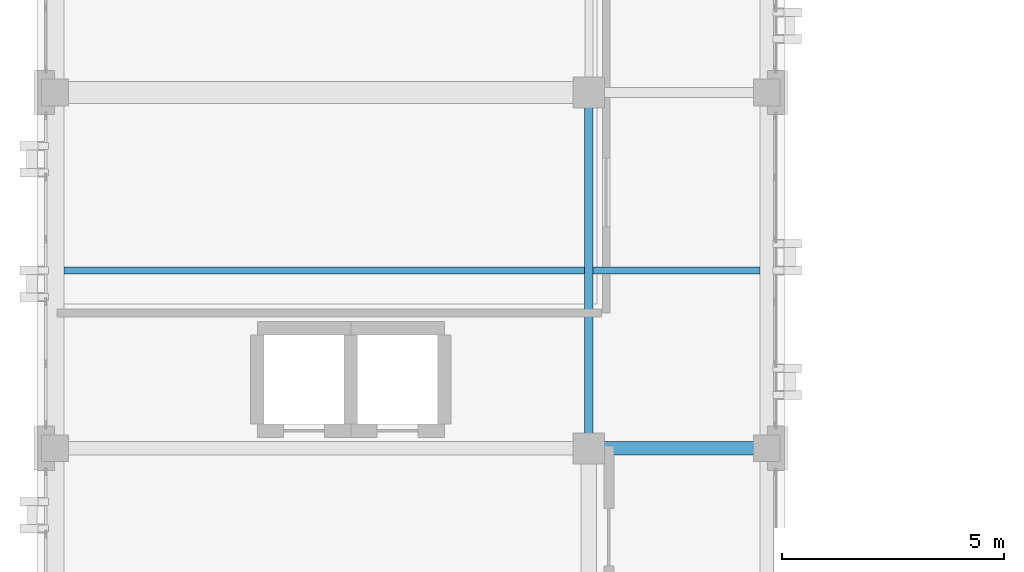
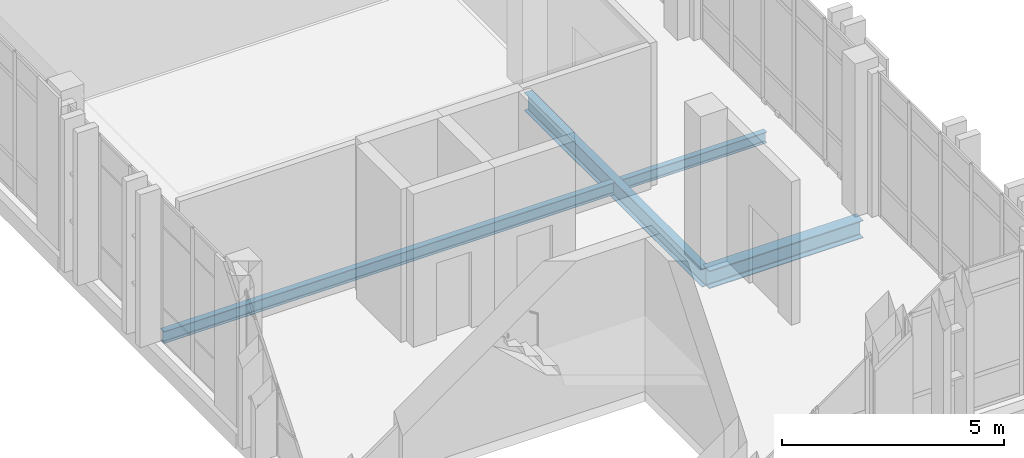
# One storey, part 6 of 90: 4 beams.
"""IFC4 building model written with IfcOpenShell, lengths in metres."""

from ifc_helpers import new_model, si_unit, direction, frame, origin, origin_2d, place, context, subcontext, project, spatial, i_section, extrude, material, material_profile, profile_set, type_object, element, save


model = new_model("IFC4")

# Units and contexts
model_context = context("Model", 3, precision=1e-05, world=origin(), true_north=direction((0.0, 1.0)))
body_context = subcontext(model_context, "Body", "Model", "MODEL_VIEW")
ifc_project = project(units=[si_unit("LENGTHUNIT", "METRE"), si_unit("AREAUNIT", "SQUARE_METRE"), si_unit("VOLUMEUNIT", "CUBIC_METRE"), si_unit("PLANEANGLEUNIT", "RADIAN"), si_unit("MASSUNIT", "GRAM", prefix="KILO")], contexts=[model_context])

# Site, building, storey
site_placement = place(None, origin())
site = spatial("IfcSite", under=ifc_project, at=site_placement, CompositionType="ELEMENT")
building_placement = place(site_placement, origin())
building = spatial("IfcBuilding", under=site, at=building_placement, Name="Qalavern Law Courts", CompositionType="ELEMENT")
storey_placement = place(building_placement, frame((0.0, 0.0, 22.800048828125)))
storey = spatial("IfcBuildingStorey", under=building, at=storey_placement, Name="L05", CompositionType="ELEMENT", Elevation=22.800048828125)

# Beams
ifc_material = material(Name="Steel S355", Category="steel")
ifc_material_profile_1 = material_profile(ifc_material, i_section(OverallWidth=0.300048828125, OverallDepth=0.489990234375, WebThickness=0.011962890625, FlangeThickness=0.02294921875, FilletRadius=0.027099609375, at=origin_2d()), Name="HEA 500")
ifc_profile_set_1 = profile_set([ifc_material_profile_1], Name="Steel S355")
beam_type_1 = type_object("IfcBeamType", Name="STR-BM-HEA500", PredefinedType="BEAM", material=ifc_profile_set_1)
beam_1_placement = place(storey_placement, frame((14.39990234375, 49.39990234375, -0.52001953125), z_axis=(1.0, 0.0, 0.0), x_axis=(0.0, 1.0, 0.0)))
element("IfcBeam", 1, at=beam_1_placement, inside=storey, type_object=beam_type_1, Name="V3 X-beam 2-2 L05", PredefinedType="BEAM", context=body_context, shape_type="SweptSolid", body=[
    extrude(i_section(OverallWidth=0.300048828125, OverallDepth=0.489990234375, WebThickness=0.011962890625, FlangeThickness=0.02294921875, FilletRadius=0.027099609375, at=origin_2d()), origin(), (0.0, 0.0, 1.0), 4.0),
])
ifc_material_profile_2 = material_profile(ifc_material, i_section(OverallWidth=0.199951171875, OverallDepth=0.5, WebThickness=0.01025390625, FlangeThickness=0.01611328125, FilletRadius=0.02099609375, at=origin_2d()), Name="IPE 500")
ifc_profile_set_2 = profile_set([ifc_material_profile_2], Name="Steel S355")
beam_type_2 = type_object("IfcBeamType", Name="STR-BM-IPE500", PredefinedType="BEAM", material=ifc_profile_set_2)
beam_2_placement = place(storey_placement, frame((14.39990234375, 49.39990234375, -0.525146484375), z_axis=(0.0, 1.0, 0.0), x_axis=(-1.0, 0.0, 0.0)))
element("IfcBeam", 2, at=beam_2_placement, inside=storey, type_object=beam_type_2, Name="V3 Y-beam 2-2 L05", PredefinedType="BEAM", context=body_context, shape_type="SweptSolid", body=[
    extrude(i_section(OverallWidth=0.199951171875, OverallDepth=0.5, WebThickness=0.01025390625, FlangeThickness=0.01611328125, FilletRadius=0.02099609375, at=origin_2d()), origin(), (0.0, 0.0, 1.0), 8.0),
])
ifc_material_profile_3 = material_profile(ifc_material, i_section(OverallWidth=0.14990234375, OverallDepth=0.300048828125, WebThickness=0.007080078125, FlangeThickness=0.0107421875, FilletRadius=0.014892578125, at=origin_2d()), Name="IPE 300")
ifc_profile_set_3 = profile_set([ifc_material_profile_3], Name="Steel S355")
beam_type_3 = type_object("IfcBeamType", Name="STR-JST-IPE300", PredefinedType="JOIST", material=ifc_profile_set_3)
beam_3_placement = place(storey_placement, frame((14.498046875, 53.39990234375, -0.425048828125), z_axis=(1.0, 0.0, 0.0), x_axis=(0.0, 1.0, 0.0)))
element("IfcBeam", 3, at=beam_3_placement, inside=storey, type_object=beam_type_3, Name="V3 secondary joist 2.2.1 L05", PredefinedType="JOIST", context=body_context, shape_type="SweptSolid", body=[
    extrude(i_section(OverallWidth=0.14990234375, OverallDepth=0.300048828125, WebThickness=0.007080078125, FlangeThickness=0.0107421875, FilletRadius=0.014892578125, at=origin_2d()), origin(), (0.0, 0.0, 1.0), 3.75390625),
])
ifc_material_profile_4 = material_profile(ifc_material, i_section(OverallWidth=0.159912109375, OverallDepth=0.330078125, WebThickness=0.007568359375, FlangeThickness=0.011474609375, FilletRadius=0.01806640625, at=origin_2d()), Name="IPE 330")
ifc_profile_set_4 = profile_set([ifc_material_profile_4], Name="Steel S355")
beam_type_4 = type_object("IfcBeamType", Name="STR-JST-IPE330", PredefinedType="JOIST", material=ifc_profile_set_4)
beam_4_placement = place(storey_placement, frame((2.597900390625, 53.39990234375, -0.43994140625), z_axis=(1.0, 0.0, 0.0), x_axis=(0.0, 1.0, 0.0)))
element("IfcBeam", 4, at=beam_4_placement, inside=storey, type_object=beam_type_4, Name="V3 secondary joist 1.2.1 L05", PredefinedType="JOIST", context=body_context, shape_type="SweptSolid", body=[
    extrude(i_section(OverallWidth=0.159912109375, OverallDepth=0.330078125, WebThickness=0.007568359375, FlangeThickness=0.011474609375, FilletRadius=0.01806640625, at=origin_2d()), origin(), (0.0, 0.0, 1.0), 11.7041015625),
])

save(model, "model.ifc")
